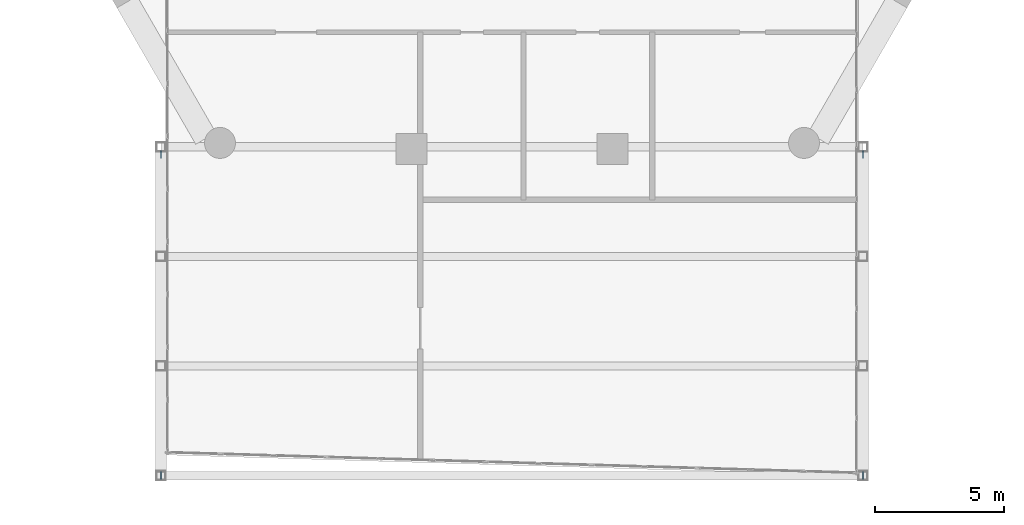
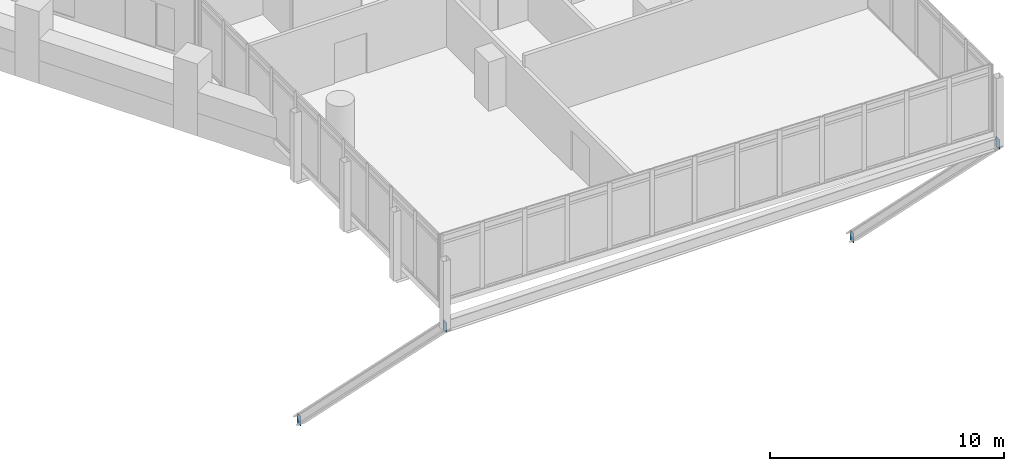
# One storey, part 35 of 37: 4 discrete accessories.
"""IFC4 building model written with IfcOpenShell, lengths in metres."""

from ifc_helpers import new_model, si_unit, direction, frame, origin, origin_2d, place, context, subcontext, project, spatial, rectangle, extrude, material, layer, layer_set, type_object, element, save


model = new_model("IFC4")

# Units and contexts
model_context = context("Model", 3, precision=1e-05, world=origin(), true_north=direction((0.0, 1.0)))
body_context = subcontext(model_context, "Body", "Model", "MODEL_VIEW")
ifc_project = project(units=[si_unit("LENGTHUNIT", "METRE"), si_unit("AREAUNIT", "SQUARE_METRE"), si_unit("VOLUMEUNIT", "CUBIC_METRE"), si_unit("PLANEANGLEUNIT", "RADIAN"), si_unit("MASSUNIT", "GRAM", prefix="KILO")], contexts=[model_context])

# Site, building, storey
site_placement = place(None, origin())
site = spatial("IfcSite", under=ifc_project, at=site_placement, CompositionType="ELEMENT")
building_placement = place(site_placement, origin())
building = spatial("IfcBuilding", under=site, at=building_placement, Name="Ostrander Bayou Hotel Tower", CompositionType="ELEMENT")
storey_placement = place(building_placement, frame((0.0, 0.0, 93.0)))
storey = spatial("IfcBuildingStorey", under=building, at=storey_placement, Name="L23", CompositionType="ELEMENT", Elevation=93.0)

# Discrete accessories
ifc_material = material(Name="Steel ASTM A572 Gr 50", Category="steel")
ifc_layer = layer(ifc_material, 0.030029296875)
ifc_layer_set = layer_set([ifc_layer], Name="GP1 gusset plate 30 mm")
discrete_accessory_type = type_object("IfcDiscreteAccessoryType", Name="GP1 gusset plate 30 mm", PredefinedType="BRACKET", material=ifc_layer_set)
for number, where, z_axis, x_axis, name in (
    (1, (-13.6201171875, -32.199951171875, -0.921875), (0.0, 0.0, 1.0), (0.0, 1.0, 0.0), "GP1 gusset plate bar 105"),
    (2, (-13.6201171875, -19.74853515625, -13.35009765625), (0.0, 0.0, 1.0), (0.0, 1.0, 0.0), "GP1 gusset plate bar 106"),
    (3, (13.6201171875, -32.199951171875, -0.921875), (0.0, 0.0, 1.0), (0.0, 1.0, 0.0), "GP1 gusset plate bar 107"),
    (4, (13.6201171875, -19.74853515625, -13.35009765625), (0.0, 0.0, 1.0), (0.0, 1.0, 0.0), "GP1 gusset plate bar 108"),
):
    element("IfcDiscreteAccessory", number, at=place(storey_placement, frame(where, z_axis=z_axis, x_axis=x_axis)), inside=storey, type_object=discrete_accessory_type, Name=name, PredefinedType="BRACKET", context=body_context, shape_type="SweptSolid", body=[
        extrude(rectangle(XDim=0.300048828125, YDim=0.030029296875, at=origin_2d()), origin(), (0.0, 0.0, 1.0), 0.5),
    ])

save(model, "model.ifc")
